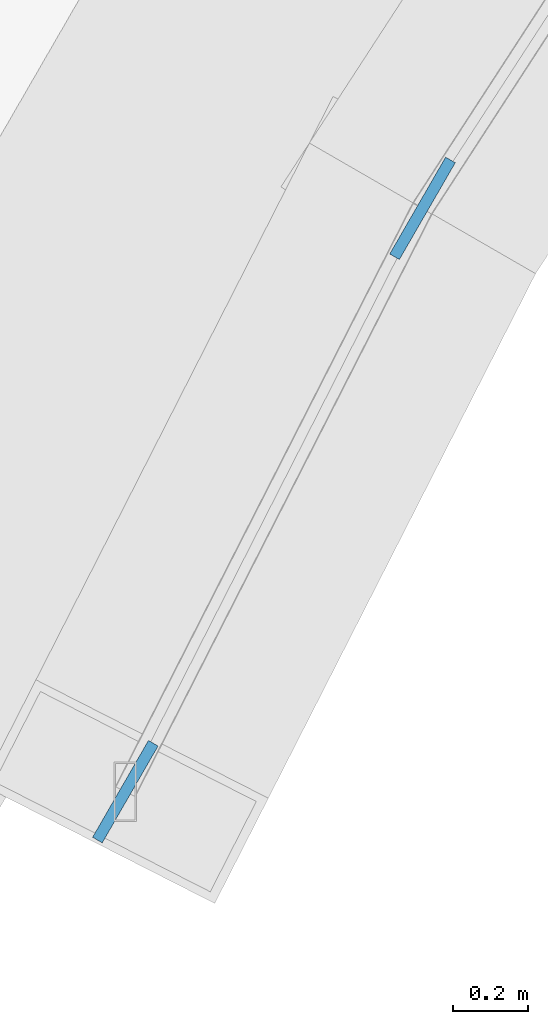
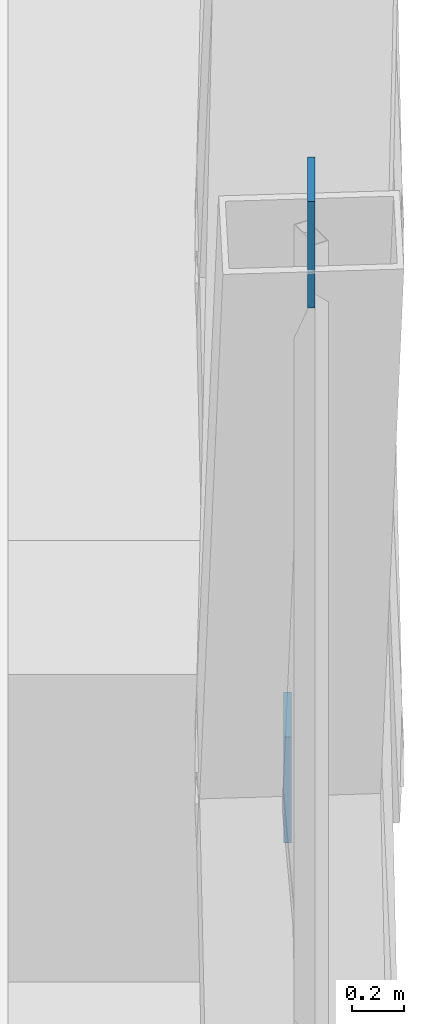
# One storey, part 23 of 27: 2 discrete accessories.
"""IFC4 building model written with IfcOpenShell, lengths in metres."""

from ifc_helpers import new_model, si_unit, direction, frame, origin, origin_2d, place, context, subcontext, project, spatial, rectangle, extrude, material, layer, layer_set, type_object, element, save


model = new_model("IFC4")

# Units and contexts
model_context = context("Model", 3, precision=1e-05, world=origin(), true_north=direction((0.0, 1.0)))
body_context = subcontext(model_context, "Body", "Model", "MODEL_VIEW")
ifc_project = project(units=[si_unit("LENGTHUNIT", "METRE"), si_unit("AREAUNIT", "SQUARE_METRE"), si_unit("VOLUMEUNIT", "CUBIC_METRE"), si_unit("PLANEANGLEUNIT", "RADIAN"), si_unit("MASSUNIT", "GRAM", prefix="KILO")], contexts=[model_context])

# Site, building, storey
site_placement = place(None, origin())
site = spatial("IfcSite", under=ifc_project, at=site_placement, CompositionType="ELEMENT")
building_placement = place(site_placement, origin())
building = spatial("IfcBuilding", under=site, at=building_placement, Name="Ostrander Bayou Hotel Tower", CompositionType="ELEMENT")
storey_placement = place(building_placement, frame((0.0, 0.0, 267.5)))
storey = spatial("IfcBuildingStorey", under=building, at=storey_placement, Name="L66", CompositionType="ELEMENT", Elevation=267.5)

# Discrete accessories
ifc_material = material(Name="Steel ASTM A572 Gr 50", Category="steel")
ifc_layer = layer(ifc_material, 0.030029296875)
ifc_layer_set = layer_set([ifc_layer], Name="GP1 gusset plate 30 mm")
discrete_accessory_type = type_object("IfcDiscreteAccessoryType", Name="GP1 gusset plate 30 mm", PredefinedType="BRACKET", material=ifc_layer_set)
for number, where, z_axis, x_axis, name in (
    (1, (12.5048828125, -13.296875, 2.89990234375), (0.0, 0.0, 1.0), (0.5, 0.866025403784, 0.0), "GP1 gusset plate lat 539"),
    (2, (11.70751953125, -14.862060546875, 6.64990234375), (0.0, 0.0, 1.0), (0.5, 0.866025403784, 0.0), "GP1 gusset plate lat 540"),
):
    element("IfcDiscreteAccessory", number, at=place(storey_placement, frame(where, z_axis=z_axis, x_axis=x_axis)), inside=storey, type_object=discrete_accessory_type, Name=name, PredefinedType="BRACKET", context=body_context, shape_type="SweptSolid", body=[
        extrude(rectangle(XDim=0.300048828125, YDim=0.030029296875, at=origin_2d()), origin(), (0.0, 0.0, 1.0), 0.5),
    ])

save(model, "model.ifc")
